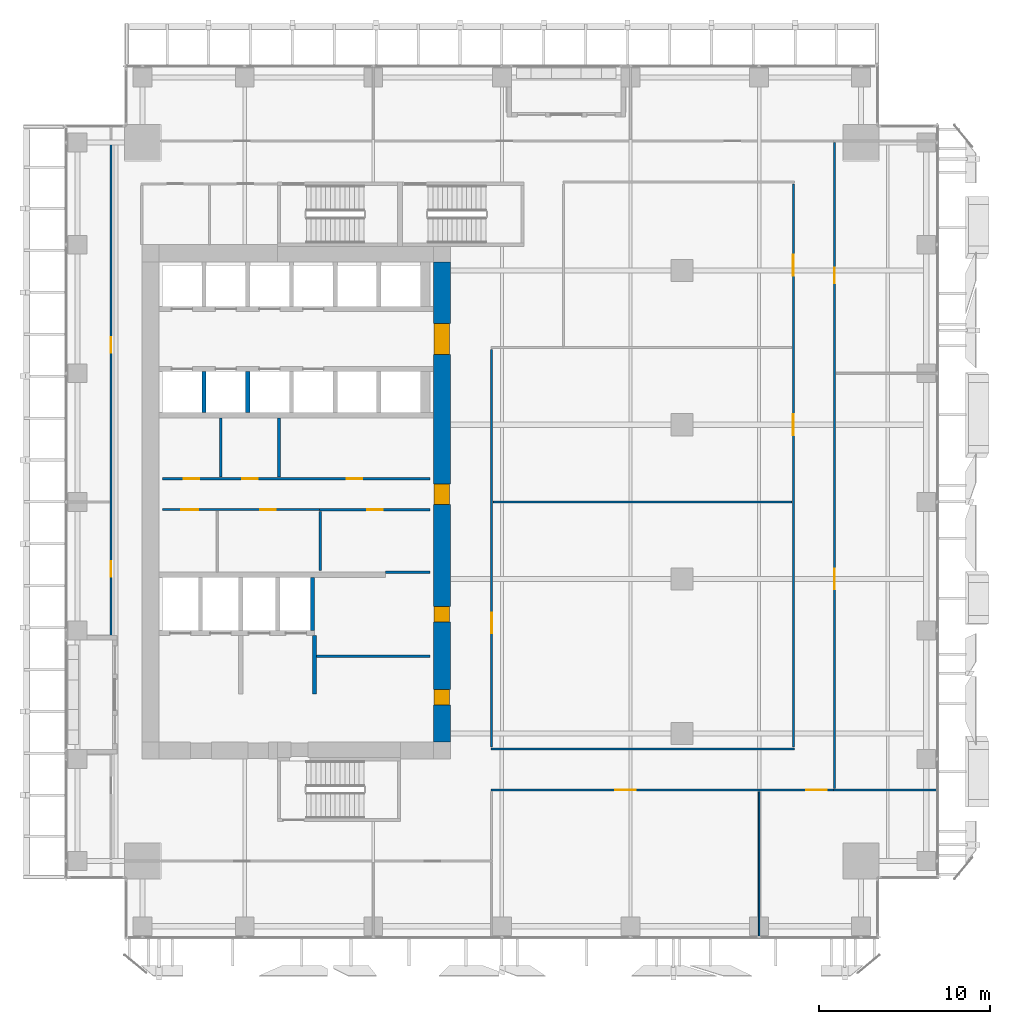
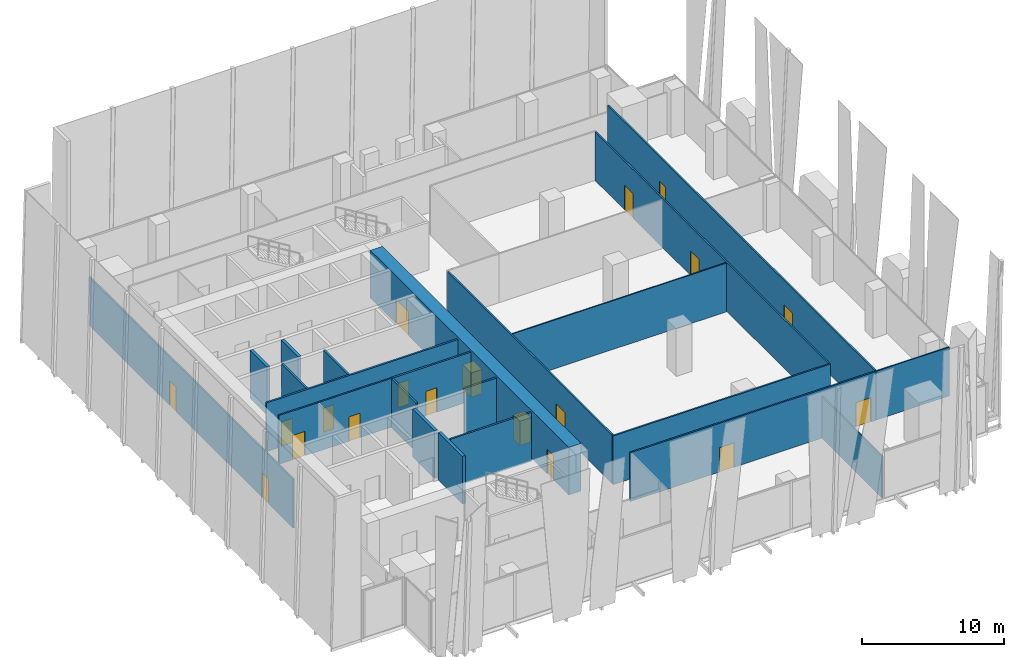
# One storey, part 27 of 34: 22 walls, 19 doors, 19 openings.
"""IFC4 building model written with IfcOpenShell, lengths in metres."""

from ifc_helpers import new_model, si_unit, direction, frame, frame_2d, origin, place, context, subcontext, project, spatial, rectangle, extrude, source, transform, mapped, material, layer, layer_set, type_object, element, fill, save


model = new_model("IFC4")

# Units and contexts
model_context = context("Model", 3, precision=1e-05, world=origin(), true_north=direction((0.0, 1.0)))
body_context = subcontext(model_context, "Body", "Model", "MODEL_VIEW")
ifc_project = project(units=[si_unit("LENGTHUNIT", "METRE"), si_unit("AREAUNIT", "SQUARE_METRE"), si_unit("VOLUMEUNIT", "CUBIC_METRE"), si_unit("PLANEANGLEUNIT", "RADIAN"), si_unit("MASSUNIT", "GRAM", prefix="KILO")], contexts=[model_context])

# Site, building, storey
site_placement = place(None, origin())
site = spatial("IfcSite", under=ifc_project, at=site_placement, CompositionType="ELEMENT")
building_placement = place(site_placement, origin())
building = spatial("IfcBuilding", under=site, at=building_placement, Name="Khomas Fold Tower", CompositionType="ELEMENT")
storey_placement = place(building_placement, frame((0.0, 0.0, 114.699951171875)))
storey = spatial("IfcBuildingStorey", under=building, at=storey_placement, Name="L24", CompositionType="ELEMENT", Elevation=114.699951171875)

# Wall, openings, doors
ifc_material_1 = material(Name="Concrete C70/85", Category="concrete")
ifc_layer_1 = layer(ifc_material_1, 1.0)
ifc_layer_set_1 = layer_set([ifc_layer_1], Name="Concrete C70/85")
wall_type_1 = type_object("IfcWallType", Name="Core wall 1000", PredefinedType="SHEAR", material=ifc_layer_set_1)
shared_shape_1 = source(origin(), body_context, "Body", "SweptSolid", [
    extrude(rectangle(XDim=28.0, YDim=1.0, at=frame_2d((14.0, 0.0))), origin(), (0.0, 0.0, 1.0), 4.10009765625),
])
wall_1_placement = place(storey_placement, frame((23.5, 13.0, 0.0), z_axis=(0.0, 0.0, 1.0), x_axis=(0.0, 1.0, 0.0)))
wall_1 = element("IfcWall", 1, at=wall_1_placement, inside=storey, type_object=wall_type_1, Name="Core wall CW-L-E-L21", PredefinedType="SHEAR", context=body_context, shape_type="MappedRepresentation", body=[
    mapped(shared_shape_1, transform((0.0, 0.0, 0.0))),
])
shared_shape_2 = source(origin(), body_context, "Body", "SweptSolid", [
    extrude(rectangle(XDim=1.800048828125, YDim=2.10009765625, at=frame_2d((0.89990234375, 1.050048828125))), frame((0.0, 0.510009765625, 0.0), z_axis=(0.0, -1.0, 0.0), x_axis=(1.0, 0.0, 0.0)), (0.0, 0.0, 1.0), 1.02001953125),
])
opening_1_placement = place(wall_1_placement, frame((22.60009765625, 0.0, 0.0)))
opening_1 = element("IfcOpeningElement", 2, at=opening_1_placement, cuts=wall_1, Name="Opening 0015", PredefinedType="OPENING", context=body_context, shape_type="MappedRepresentation", body=[
    mapped(shared_shape_2, transform((0.0, 0.0, 0.0))),
])
shared_shape_3 = source(origin(), body_context, "Body", "SweptSolid", [
    extrude(rectangle(XDim=1.199951171875, YDim=2.10009765625, at=frame_2d((0.60009765625, 1.050048828125))), frame((0.0, 0.510009765625, 0.0), z_axis=(0.0, -1.0, 0.0), x_axis=(1.0, 0.0, 0.0)), (0.0, 0.0, 1.0), 1.02001953125),
])
opening_2_placement = place(wall_1_placement, frame((13.85009765625, 0.0, 0.0)))
opening_2 = element("IfcOpeningElement", 3, at=opening_2_placement, cuts=wall_1, Name="Opening 0001", PredefinedType="OPENING", context=body_context, shape_type="MappedRepresentation", body=[
    mapped(shared_shape_3, transform((0.0, 0.0, 0.0))),
])
shared_shape_4 = source(origin(), body_context, "Body", "SweptSolid", [
    extrude(rectangle(XDim=0.89990234375, YDim=2.10009765625, at=frame_2d((0.449951171875, 1.050048828125))), frame((0.0, 0.510009765625, 0.0), z_axis=(0.0, -1.0, 0.0), x_axis=(1.0, 0.0, 0.0)), (0.0, 0.0, 1.0), 1.02001953125),
])
opening_3_placement = place(wall_1_placement, frame((2.14990234375, 0.0, 0.0)))
opening_3 = element("IfcOpeningElement", 4, at=opening_3_placement, cuts=wall_1, Name="Opening 0003", PredefinedType="OPENING", context=body_context, shape_type="MappedRepresentation", body=[
    mapped(shared_shape_4, transform((0.0, 0.0, 0.0))),
])
opening_4_placement = place(wall_1_placement, frame((7.0, 0.0, 0.0)))
opening_4 = element("IfcOpeningElement", 5, at=opening_4_placement, cuts=wall_1, Name="Opening 0003", PredefinedType="OPENING", context=body_context, shape_type="MappedRepresentation", body=[
    mapped(shared_shape_4, transform((0.0, 0.0, 0.0))),
])
ifc_material_2 = material(Name="Steel door leaf", Category="steel")
door_type_1 = type_object("IfcDoorType", Name="Lobby door 1800x2100", OperationType="DOUBLE_DOOR_SINGLE_SWING", PredefinedType="DOOR", material=ifc_material_2)
shared_shape_5 = source(origin(), body_context, "Body", "SweptSolid", [
    extrude(rectangle(XDim=1.800048828125, YDim=2.10009765625, at=frame_2d((0.89990234375, 1.050048828125))), frame((0.0, 0.449951171875, 0.0), z_axis=(0.0, -1.0, 0.0), x_axis=(1.0, 0.0, 0.0)), (0.0, 0.0, 1.0), 0.89990234375),
])
door_1_placement = place(opening_1_placement, origin())
door_1 = element("IfcDoor", 6, at=door_1_placement, inside=storey, type_object=door_type_1, Name="Lobby door", OperationType="DOUBLE_DOOR_SINGLE_SWING", OverallHeight=2.10009765625, OverallWidth=1.800048828125, PredefinedType="DOOR", context=body_context, shape_type="MappedRepresentation", body=[
    mapped(shared_shape_5, transform((0.0, 0.0, 0.0))),
])
fill(opening_1, door_1)
ifc_material_3 = material(Name="Timber door leaf", Category="wood")
door_type_2 = type_object("IfcDoorType", Name="Door 1200x2100 right-hand", OperationType="SINGLE_SWING_RIGHT", PredefinedType="DOOR", material=ifc_material_3)
shared_shape_6 = source(origin(), body_context, "Body", "SweptSolid", [
    extrude(rectangle(XDim=1.199951171875, YDim=2.10009765625, at=frame_2d((0.60009765625, 1.050048828125))), frame((0.0, 0.449951171875, 0.0), z_axis=(0.0, -1.0, 0.0), x_axis=(1.0, 0.0, 0.0)), (0.0, 0.0, 1.0), 0.89990234375),
])
door_2_placement = place(opening_2_placement, origin())
door_2 = element("IfcDoor", 7, at=door_2_placement, inside=storey, type_object=door_type_2, Name="Door", OperationType="SINGLE_SWING_RIGHT", OverallHeight=2.10009765625, OverallWidth=1.199951171875, PredefinedType="DOOR", context=body_context, shape_type="MappedRepresentation", body=[
    mapped(shared_shape_6, transform((0.0, 0.0, 0.0))),
])
fill(opening_2, door_2)
ifc_material_4 = material(Name="Steel door leaf", Category="steel")
door_type_3 = type_object("IfcDoorType", Name="Plant room door 900x2100 right-hand", OperationType="SINGLE_SWING_RIGHT", PredefinedType="DOOR", material=ifc_material_4)
shared_shape_7 = source(origin(), body_context, "Body", "SweptSolid", [
    extrude(rectangle(XDim=0.89990234375, YDim=2.10009765625, at=frame_2d((0.449951171875, 1.050048828125))), frame((0.0, 0.449951171875, 0.0), z_axis=(0.0, -1.0, 0.0), x_axis=(1.0, 0.0, 0.0)), (0.0, 0.0, 1.0), 0.89990234375),
])
door_3_placement = place(opening_3_placement, origin())
door_3 = element("IfcDoor", 8, at=door_3_placement, inside=storey, type_object=door_type_3, Name="Plant room door", OperationType="SINGLE_SWING_RIGHT", OverallHeight=2.10009765625, OverallWidth=0.89990234375, PredefinedType="DOOR", context=body_context, shape_type="MappedRepresentation", body=[
    mapped(shared_shape_7, transform((0.0, 0.0, 0.0))),
])
fill(opening_3, door_3)
door_4_placement = place(opening_4_placement, origin())
door_4 = element("IfcDoor", 9, at=door_4_placement, inside=storey, type_object=door_type_3, Name="Plant room door", OperationType="SINGLE_SWING_RIGHT", OverallHeight=2.10009765625, OverallWidth=0.89990234375, PredefinedType="DOOR", context=body_context, shape_type="MappedRepresentation", body=[
    mapped(shared_shape_7, transform((0.0, 0.0, 0.0))),
])
fill(opening_4, door_4)

# Walls
ifc_material_5 = material(Name="Concrete C50/60", Category="concrete")
ifc_layer_2 = layer(ifc_material_5, 0.25)
ifc_layer_set_2 = layer_set([ifc_layer_2], Name="Concrete C50/60")
wall_type_2 = type_object("IfcWallType", Name="Shaft wall 250", PredefinedType="STANDARD", material=ifc_layer_set_2)
shared_shape_8 = source(origin(), body_context, "Body", "SweptSolid", [
    extrude(rectangle(XDim=3.10009765625, YDim=0.25, at=frame_2d((1.550048828125, 0.0))), origin(), (0.0, 0.0, 1.0), 4.10009765625),
])
wall_2_placement = place(storey_placement, frame((15.949951171875, 19.5, 0.0), z_axis=(0.0, 0.0, 1.0), x_axis=(0.0, 1.0, 0.0)))
element("IfcWall", 10, at=wall_2_placement, inside=storey, type_object=wall_type_2, Name="Core wall SW-FS-PE", PredefinedType="STANDARD", context=body_context, shape_type="MappedRepresentation", body=[
    mapped(shared_shape_8, transform((0.0, 0.0, 0.0))),
])
shared_shape_9 = source(origin(), body_context, "Body", "SweptSolid", [
    extrude(rectangle(XDim=2.400146484375, YDim=0.25, at=frame_2d((1.2001953125, 0.0))), origin(), (0.0, 0.0, 1.0), 4.10009765625),
])
for number, where, z_axis, x_axis, name in (
    (11, (9.625, 32.199951171875, 0.0), (0.0, 0.0, 1.0), (0.0, 1.0, 0.0), "Core wall SW-LRS-P1"),
    (12, (12.175048828125, 32.199951171875, 0.0), (0.0, 0.0, 1.0), (0.0, 1.0, 0.0), "Core wall SW-LRS-P2"),
):
    element("IfcWall", number, at=place(storey_placement, frame(where, z_axis=z_axis, x_axis=x_axis)), inside=storey, type_object=wall_type_2, Name=name, PredefinedType="STANDARD", context=body_context, shape_type="MappedRepresentation", body=[
        mapped(shared_shape_9, transform((0.0, 0.0, 0.0))),
    ])
ifc_material_6 = material(Name="Concrete C50/60", Category="concrete")
ifc_layer_3 = layer(ifc_material_6, 0.25)
ifc_layer_set_3 = layer_set([ifc_layer_3], Name="Concrete C50/60")
wall_type_3 = type_object("IfcWallType", Name="Lobby wall 250", PredefinedType="STANDARD", material=ifc_layer_set_3)
shared_shape_10 = source(origin(), body_context, "Body", "SweptSolid", [
    extrude(rectangle(XDim=3.39990234375, YDim=0.25, at=frame_2d((1.699951171875, 0.0))), origin(), (0.0, 0.0, 1.0), 4.10009765625),
])
wall_3_placement = place(storey_placement, frame((16.074951171875, 15.800048828125, 0.0), z_axis=(0.0, 0.0, 1.0), x_axis=(0.0, 1.0, 0.0)))
element("IfcWall", 13, at=wall_3_placement, inside=storey, type_object=wall_type_3, Name="Core wall SW-FS-LOB-E", PredefinedType="STANDARD", context=body_context, shape_type="MappedRepresentation", body=[
    mapped(shared_shape_10, transform((0.0, 0.0, 0.0))),
])

# Wall, openings, doors
ifc_material_7 = material(Name="Plasterboard fire partition")
ifc_layer_4 = layer(ifc_material_7, 0.14990234375)
ifc_layer_set_4 = layer_set([ifc_layer_4], Name="Plasterboard fire partition")
wall_type_4 = type_object("IfcWallType", Name="Plant room wall PW3 150", PredefinedType="PARTITIONING", material=ifc_layer_set_4)
shared_shape_11 = source(origin(), body_context, "Body", "SweptSolid", [
    extrude(rectangle(XDim=15.60009765625, YDim=0.14990234375, at=frame_2d((7.800048828125, 0.0))), origin(), (0.0, 0.0, 1.0), 4.199951171875),
])
wall_4_placement = place(storey_placement, frame((7.199951171875, 28.35009765625, 0.0), z_axis=(0.0, 0.0, 1.0), x_axis=(1.0, 0.0, 0.0)))
wall_4 = element("IfcWall", 14, at=wall_4_placement, inside=storey, type_object=wall_type_4, Name="Plant room wall", PredefinedType="PARTITIONING", context=body_context, shape_type="MappedRepresentation", body=[
    mapped(shared_shape_11, transform((0.0, 0.0, 0.0))),
])
shared_shape_12 = source(origin(), body_context, "Body", "SweptSolid", [
    extrude(rectangle(XDim=0.89990234375, YDim=2.10009765625, at=frame_2d((0.449951171875, 1.050048828125))), frame((0.0, 0.0849609375, 0.0), z_axis=(0.0, -1.0, 0.0), x_axis=(1.0, 0.0, 0.0)), (0.0, 0.0, 1.0), 0.169921875),
])
opening_5_placement = place(wall_4_placement, frame((1.25, 0.0, 0.0)))
opening_5 = element("IfcOpeningElement", 15, at=opening_5_placement, cuts=wall_4, Name="Opening 0003", PredefinedType="OPENING", context=body_context, shape_type="MappedRepresentation", body=[
    mapped(shared_shape_12, transform((0.0, 0.0, 0.0))),
])
opening_6_placement = place(wall_4_placement, frame((4.64990234375, 0.0, 0.0)))
opening_6 = element("IfcOpeningElement", 16, at=opening_6_placement, cuts=wall_4, Name="Opening 0002", PredefinedType="OPENING", context=body_context, shape_type="MappedRepresentation", body=[
    mapped(shared_shape_12, transform((0.0, 0.0, 0.0))),
])
opening_7_placement = place(wall_4_placement, frame((10.75, 0.0, 0.0)))
opening_7 = element("IfcOpeningElement", 17, at=opening_7_placement, cuts=wall_4, Name="Opening 0003", PredefinedType="OPENING", context=body_context, shape_type="MappedRepresentation", body=[
    mapped(shared_shape_12, transform((0.0, 0.0, 0.0))),
])
shared_shape_13 = source(origin(), body_context, "Body", "SweptSolid", [
    extrude(rectangle(XDim=0.89990234375, YDim=2.10009765625, at=frame_2d((0.449951171875, 1.050048828125))), frame((0.0, 0.02490234375, 0.0), z_axis=(0.0, -1.0, 0.0), x_axis=(1.0, 0.0, 0.0)), (0.0, 0.0, 1.0), 0.050048828125),
])
door_5_placement = place(opening_5_placement, origin())
door_5 = element("IfcDoor", 18, at=door_5_placement, inside=storey, type_object=door_type_3, Name="Plant room door", OperationType="SINGLE_SWING_RIGHT", OverallHeight=2.10009765625, OverallWidth=0.89990234375, PredefinedType="DOOR", context=body_context, shape_type="MappedRepresentation", body=[
    mapped(shared_shape_13, transform((0.0, 0.0, 0.0))),
])
fill(opening_5, door_5)
ifc_material_8 = material(Name="Steel door leaf", Category="steel")
door_type_4 = type_object("IfcDoorType", Name="Plant room door 900x2100 left-hand", OperationType="SINGLE_SWING_LEFT", PredefinedType="DOOR", material=ifc_material_8)
door_6_placement = place(opening_6_placement, origin())
door_6 = element("IfcDoor", 19, at=door_6_placement, inside=storey, type_object=door_type_4, Name="Plant room door", OperationType="SINGLE_SWING_LEFT", OverallHeight=2.10009765625, OverallWidth=0.89990234375, PredefinedType="DOOR", context=body_context, shape_type="MappedRepresentation", body=[
    mapped(shared_shape_13, transform((0.0, 0.0, 0.0))),
])
fill(opening_6, door_6)
door_7_placement = place(opening_7_placement, origin())
door_7 = element("IfcDoor", 20, at=door_7_placement, inside=storey, type_object=door_type_3, Name="Plant room door", OperationType="SINGLE_SWING_RIGHT", OverallHeight=2.10009765625, OverallWidth=0.89990234375, PredefinedType="DOOR", context=body_context, shape_type="MappedRepresentation", body=[
    mapped(shared_shape_13, transform((0.0, 0.0, 0.0))),
])
fill(opening_7, door_7)

# Wall
ifc_material_9 = material(Name="Plasterboard partition")
ifc_layer_5 = layer(ifc_material_9, 0.10009765625)
ifc_layer_set_5 = layer_set([ifc_layer_5], Name="Plasterboard partition")
wall_type_5 = type_object("IfcWallType", Name="Partition PW1 100", PredefinedType="PARTITIONING", material=ifc_layer_set_5)
shared_shape_14 = source(origin(), body_context, "Body", "SweptSolid", [
    extrude(rectangle(XDim=8.4501953125, YDim=0.10009765625, at=frame_2d((4.22509765625, 0.0))), origin(), (0.0, 0.0, 1.0), 3.60009765625),
])
wall_5_placement = place(storey_placement, frame((42.0, 1.64990234375, 0.0), z_axis=(0.0, 0.0, 1.0), x_axis=(0.0, 1.0, 0.0)))
element("IfcWall", 21, at=wall_5_placement, inside=storey, type_object=wall_type_5, Name="Partition", PredefinedType="PARTITIONING", context=body_context, shape_type="MappedRepresentation", body=[
    mapped(shared_shape_14, transform((0.0, 0.0, 0.0))),
])

# Wall, openings, doors
ifc_material_10 = material(Name="Plasterboard partition")
ifc_layer_6 = layer(ifc_material_10, 0.125)
ifc_layer_set_6 = layer_set([ifc_layer_6], Name="Plasterboard partition")
wall_type_6 = type_object("IfcWallType", Name="Partition PW2 125", PredefinedType="PARTITIONING", material=ifc_layer_set_6)
shared_shape_15 = source(origin(), body_context, "Body", "SweptSolid", [
    extrude(rectangle(XDim=20.0, YDim=0.125, at=frame_2d((10.0, 0.0))), origin(), (0.0, 0.0, 1.0), 4.199951171875),
])
wall_6_placement = place(storey_placement, frame((26.35009765625, 10.199951171875, 0.0), z_axis=(0.0, 0.0, 1.0), x_axis=(1.0, 0.0, 0.0)))
wall_6 = element("IfcWall", 22, at=wall_6_placement, inside=storey, type_object=wall_type_6, Name="Partition", PredefinedType="PARTITIONING", context=body_context, shape_type="MappedRepresentation", body=[
    mapped(shared_shape_15, transform((0.0, 0.0, 0.0))),
])
shared_shape_16 = source(origin(), body_context, "Body", "SweptSolid", [
    extrude(rectangle(XDim=1.199951171875, YDim=2.10009765625, at=frame_2d((0.60009765625, 1.050048828125))), frame((0.0, 0.072509765625, 0.0), z_axis=(0.0, -1.0, 0.0), x_axis=(1.0, 0.0, 0.0)), (0.0, 0.0, 1.0), 0.14501953125),
])
opening_8_placement = place(wall_6_placement, frame((7.25, 0.0, 0.0)))
opening_8 = element("IfcOpeningElement", 23, at=opening_8_placement, cuts=wall_6, Name="Opening 0001", PredefinedType="OPENING", context=body_context, shape_type="MappedRepresentation", body=[
    mapped(shared_shape_16, transform((0.0, 0.0, 0.0))),
])
opening_9_placement = place(wall_6_placement, frame((18.39990234375, 0.0, 0.0)))
opening_9 = element("IfcOpeningElement", 24, at=opening_9_placement, cuts=wall_6, Name="Opening 0001", PredefinedType="OPENING", context=body_context, shape_type="MappedRepresentation", body=[
    mapped(shared_shape_16, transform((0.0, 0.0, 0.0))),
])
shared_shape_17 = source(origin(), body_context, "Body", "SweptSolid", [
    extrude(rectangle(XDim=1.199951171875, YDim=2.10009765625, at=frame_2d((0.60009765625, 1.050048828125))), frame((0.0, 0.02490234375, 0.0), z_axis=(0.0, -1.0, 0.0), x_axis=(1.0, 0.0, 0.0)), (0.0, 0.0, 1.0), 0.050048828125),
])
door_8_placement = place(opening_8_placement, origin())
door_8 = element("IfcDoor", 25, at=door_8_placement, inside=storey, type_object=door_type_2, Name="Door", OperationType="SINGLE_SWING_RIGHT", OverallHeight=2.10009765625, OverallWidth=1.199951171875, PredefinedType="DOOR", context=body_context, shape_type="MappedRepresentation", body=[
    mapped(shared_shape_17, transform((0.0, 0.0, 0.0))),
])
fill(opening_8, door_8)
door_9_placement = place(opening_9_placement, origin())
door_9 = element("IfcDoor", 26, at=door_9_placement, inside=storey, type_object=door_type_2, Name="Door", OperationType="SINGLE_SWING_RIGHT", OverallHeight=2.10009765625, OverallWidth=1.199951171875, PredefinedType="DOOR", context=body_context, shape_type="MappedRepresentation", body=[
    mapped(shared_shape_17, transform((0.0, 0.0, 0.0))),
])
fill(opening_9, door_9)

# Wall
shared_shape_18 = source(origin(), body_context, "Body", "SweptSolid", [
    extrude(rectangle(XDim=6.0, YDim=0.10009765625, at=frame_2d((3.0, 0.0))), origin(), (0.0, 0.0, 1.0), 4.199951171875),
])
wall_7_placement = place(storey_placement, frame((46.35009765625, 10.199951171875, 0.0), z_axis=(0.0, 0.0, 1.0), x_axis=(1.0, 0.0, 0.0)))
element("IfcWall", 27, at=wall_7_placement, inside=storey, type_object=wall_type_5, Name="Partition", PredefinedType="PARTITIONING", context=body_context, shape_type="MappedRepresentation", body=[
    mapped(shared_shape_18, transform((0.0, 0.0, 0.0))),
])

# Wall, openings, doors
shared_shape_19 = source(origin(), body_context, "Body", "SweptSolid", [
    extrude(rectangle(XDim=37.64990234375, YDim=0.125, at=frame_2d((18.824951171875, 0.0))), origin(), (0.0, 0.0, 1.0), 4.199951171875),
])
wall_8_placement = place(storey_placement, frame((46.39990234375, 10.300048828125, 0.0), z_axis=(0.0, 0.0, 1.0), x_axis=(0.0, 1.0, 0.0)))
wall_8 = element("IfcWall", 28, at=wall_8_placement, inside=storey, type_object=wall_type_6, Name="Partition", PredefinedType="PARTITIONING", context=body_context, shape_type="MappedRepresentation", body=[
    mapped(shared_shape_19, transform((0.0, 0.0, 0.0))),
])
opening_10_placement = place(wall_8_placement, frame((11.60009765625, 0.0, 0.0)))
opening_10 = element("IfcOpeningElement", 29, at=opening_10_placement, cuts=wall_8, Name="Opening 0001", PredefinedType="OPENING", context=body_context, shape_type="MappedRepresentation", body=[
    mapped(shared_shape_16, transform((0.0, 0.0, 0.0))),
])
shared_shape_20 = source(origin(), body_context, "Body", "SweptSolid", [
    extrude(rectangle(XDim=0.89990234375, YDim=2.10009765625, at=frame_2d((0.449951171875, 1.050048828125))), frame((0.0, 0.072509765625, 0.0), z_axis=(0.0, -1.0, 0.0), x_axis=(1.0, 0.0, 0.0)), (0.0, 0.0, 1.0), 0.14501953125),
])
opening_11_placement = place(wall_8_placement, frame((29.449951171875, 0.0, 0.0)))
opening_11 = element("IfcOpeningElement", 30, at=opening_11_placement, cuts=wall_8, Name="Opening 0008", PredefinedType="OPENING", context=body_context, shape_type="MappedRepresentation", body=[
    mapped(shared_shape_20, transform((0.0, 0.0, 0.0))),
])
ifc_material_11 = material(Name="Timber door leaf", Category="wood")
door_type_5 = type_object("IfcDoorType", Name="Door 900x2100 right-hand", OperationType="SINGLE_SWING_RIGHT", PredefinedType="DOOR", material=ifc_material_11)
door_10_placement = place(opening_11_placement, origin())
door_10 = element("IfcDoor", 31, at=door_10_placement, inside=storey, type_object=door_type_5, Name="Door", OperationType="SINGLE_SWING_RIGHT", OverallHeight=2.10009765625, OverallWidth=0.89990234375, PredefinedType="DOOR", context=body_context, shape_type="MappedRepresentation", body=[
    mapped(shared_shape_13, transform((0.0, 0.0, 0.0))),
])
fill(opening_11, door_10)
door_11_placement = place(opening_10_placement, origin())
door_11 = element("IfcDoor", 32, at=door_11_placement, inside=storey, type_object=door_type_2, Name="Door", OperationType="SINGLE_SWING_RIGHT", OverallHeight=2.10009765625, OverallWidth=1.199951171875, PredefinedType="DOOR", context=body_context, shape_type="MappedRepresentation", body=[
    mapped(shared_shape_17, transform((0.0, 0.0, 0.0))),
])
fill(opening_10, door_11)

# Wall
shared_shape_21 = source(origin(), body_context, "Body", "SweptSolid", [
    extrude(rectangle(XDim=17.699951171875, YDim=0.125, at=frame_2d((8.85009765625, 0.0))), origin(), (0.0, 0.0, 1.0), 4.199951171875),
])
wall_9_placement = place(storey_placement, frame((26.35009765625, 12.60009765625, 0.0), z_axis=(0.0, 0.0, 1.0), x_axis=(1.0, 0.0, 0.0)))
element("IfcWall", 33, at=wall_9_placement, inside=storey, type_object=wall_type_6, Name="Partition", PredefinedType="PARTITIONING", context=body_context, shape_type="MappedRepresentation", body=[
    mapped(shared_shape_21, transform((0.0, 0.0, 0.0))),
])

# Wall, opening, door
shared_shape_22 = source(origin(), body_context, "Body", "SweptSolid", [
    extrude(rectangle(XDim=23.199951171875, YDim=0.125, at=frame_2d((11.60009765625, 0.0))), origin(), (0.0, 0.0, 1.0), 4.199951171875),
])
wall_10_placement = place(storey_placement, frame((26.39990234375, 12.699951171875, 0.0), z_axis=(0.0, 0.0, 1.0), x_axis=(0.0, 1.0, 0.0)))
wall_10 = element("IfcWall", 34, at=wall_10_placement, inside=storey, type_object=wall_type_6, Name="Partition", PredefinedType="PARTITIONING", context=body_context, shape_type="MappedRepresentation", body=[
    mapped(shared_shape_22, transform((0.0, 0.0, 0.0))),
])
opening_12_placement = place(wall_10_placement, frame((6.64990234375, 0.0, 0.0)))
opening_12 = element("IfcOpeningElement", 35, at=opening_12_placement, cuts=wall_10, Name="Opening 0001", PredefinedType="OPENING", context=body_context, shape_type="MappedRepresentation", body=[
    mapped(shared_shape_16, transform((0.0, 0.0, 0.0))),
])
door_12_placement = place(opening_12_placement, origin())
door_12 = element("IfcDoor", 36, at=door_12_placement, inside=storey, type_object=door_type_2, Name="Door", OperationType="SINGLE_SWING_RIGHT", OverallHeight=2.10009765625, OverallWidth=1.199951171875, PredefinedType="DOOR", context=body_context, shape_type="MappedRepresentation", body=[
    mapped(shared_shape_17, transform((0.0, 0.0, 0.0))),
])
fill(opening_12, door_12)

# Wall, openings, doors
shared_shape_23 = source(origin(), body_context, "Body", "SweptSolid", [
    extrude(rectangle(XDim=32.85009765625, YDim=0.125, at=frame_2d((16.425048828125, 0.0))), origin(), (0.0, 0.0, 1.0), 4.199951171875),
])
wall_11_placement = place(storey_placement, frame((44.0, 12.699951171875, 0.0), z_axis=(0.0, 0.0, 1.0), x_axis=(0.0, 1.0, 0.0)))
wall_11 = element("IfcWall", 37, at=wall_11_placement, inside=storey, type_object=wall_type_6, Name="Partition", PredefinedType="PARTITIONING", context=body_context, shape_type="MappedRepresentation", body=[
    mapped(shared_shape_23, transform((0.0, 0.0, 0.0))),
])
opening_13_placement = place(wall_11_placement, frame((18.199951171875, 0.0, 0.0)))
opening_13 = element("IfcOpeningElement", 38, at=opening_13_placement, cuts=wall_11, Name="Opening 0013", PredefinedType="OPENING", context=body_context, shape_type="MappedRepresentation", body=[
    mapped(shared_shape_16, transform((0.0, 0.0, 0.0))),
])
opening_14_placement = place(wall_11_placement, frame((27.5, 0.0, 0.0)))
opening_14 = element("IfcOpeningElement", 39, at=opening_14_placement, cuts=wall_11, Name="Opening 0001", PredefinedType="OPENING", context=body_context, shape_type="MappedRepresentation", body=[
    mapped(shared_shape_16, transform((0.0, 0.0, 0.0))),
])
ifc_material_12 = material(Name="Timber door leaf", Category="wood")
door_type_6 = type_object("IfcDoorType", Name="Door 1200x2100 left-hand", OperationType="SINGLE_SWING_LEFT", PredefinedType="DOOR", material=ifc_material_12)
door_13_placement = place(opening_13_placement, origin())
door_13 = element("IfcDoor", 40, at=door_13_placement, inside=storey, type_object=door_type_6, Name="Door", OperationType="SINGLE_SWING_LEFT", OverallHeight=2.10009765625, OverallWidth=1.199951171875, PredefinedType="DOOR", context=body_context, shape_type="MappedRepresentation", body=[
    mapped(shared_shape_17, transform((0.0, 0.0, 0.0))),
])
fill(opening_13, door_13)
door_14_placement = place(opening_14_placement, origin())
door_14 = element("IfcDoor", 41, at=door_14_placement, inside=storey, type_object=door_type_2, Name="Door", OperationType="SINGLE_SWING_RIGHT", OverallHeight=2.10009765625, OverallWidth=1.199951171875, PredefinedType="DOOR", context=body_context, shape_type="MappedRepresentation", body=[
    mapped(shared_shape_17, transform((0.0, 0.0, 0.0))),
])
fill(opening_14, door_14)

# Walls
shared_shape_24 = source(origin(), body_context, "Body", "SweptSolid", [
    extrude(rectangle(XDim=6.60009765625, YDim=0.14990234375, at=frame_2d((3.300048828125, 0.0))), origin(), (0.0, 0.0, 1.0), 4.199951171875),
])
wall_12_placement = place(storey_placement, frame((16.199951171875, 18.0, 0.0), z_axis=(0.0, 0.0, 1.0), x_axis=(1.0, 0.0, 0.0)))
element("IfcWall", 42, at=wall_12_placement, inside=storey, type_object=wall_type_4, Name="Plant room wall", PredefinedType="PARTITIONING", context=body_context, shape_type="MappedRepresentation", body=[
    mapped(shared_shape_24, transform((0.0, 0.0, 0.0))),
])
shared_shape_25 = source(origin(), body_context, "Body", "SweptSolid", [
    extrude(rectangle(XDim=17.39990234375, YDim=0.10009765625, at=frame_2d((8.699951171875, 0.0))), origin(), (0.0, 0.0, 1.0), 4.199951171875),
])
wall_13_placement = place(storey_placement, frame((26.5, 27.0, 0.0), z_axis=(0.0, 0.0, 1.0), x_axis=(1.0, 0.0, 0.0)))
element("IfcWall", 43, at=wall_13_placement, inside=storey, type_object=wall_type_5, Name="Partition", PredefinedType="PARTITIONING", context=body_context, shape_type="MappedRepresentation", body=[
    mapped(shared_shape_25, transform((0.0, 0.0, 0.0))),
])
shared_shape_26 = source(origin(), body_context, "Body", "SweptSolid", [
    extrude(rectangle(XDim=2.60009765625, YDim=0.14990234375, at=frame_2d((1.300048828125, 0.0))), origin(), (0.0, 0.0, 1.0), 4.199951171875),
])
wall_14_placement = place(storey_placement, frame((20.199951171875, 22.89990234375, 0.0), z_axis=(0.0, 0.0, 1.0), x_axis=(1.0, 0.0, 0.0)))
element("IfcWall", 44, at=wall_14_placement, inside=storey, type_object=wall_type_4, Name="Plant room wall", PredefinedType="PARTITIONING", context=body_context, shape_type="MappedRepresentation", body=[
    mapped(shared_shape_26, transform((0.0, 0.0, 0.0))),
])

# Wall, openings, doors
shared_shape_27 = source(origin(), body_context, "Body", "SweptSolid", [
    extrude(rectangle(XDim=28.75, YDim=0.125, at=frame_2d((14.375, 0.0))), origin(), (0.0, 0.0, 1.0), 4.199951171875),
])
wall_15_placement = place(storey_placement, frame((4.199951171875, 19.199951171875, 0.0), z_axis=(0.0, 0.0, 1.0), x_axis=(0.0, 1.0, 0.0)))
wall_15 = element("IfcWall", 45, at=wall_15_placement, inside=storey, type_object=wall_type_6, Name="Partition", PredefinedType="PARTITIONING", context=body_context, shape_type="MappedRepresentation", body=[
    mapped(shared_shape_27, transform((0.0, 0.0, 0.0))),
])
opening_15_placement = place(wall_15_placement, frame((3.449951171875, 0.0, 0.0)))
opening_15 = element("IfcOpeningElement", 46, at=opening_15_placement, cuts=wall_15, Name="Opening 0007", PredefinedType="OPENING", context=body_context, shape_type="MappedRepresentation", body=[
    mapped(shared_shape_20, transform((0.0, 0.0, 0.0))),
])
opening_16_placement = place(wall_15_placement, frame((16.5, 0.0, 0.0)))
opening_16 = element("IfcOpeningElement", 47, at=opening_16_placement, cuts=wall_15, Name="Opening 0008", PredefinedType="OPENING", context=body_context, shape_type="MappedRepresentation", body=[
    mapped(shared_shape_20, transform((0.0, 0.0, 0.0))),
])
ifc_material_13 = material(Name="Timber door leaf", Category="wood")
door_type_7 = type_object("IfcDoorType", Name="Door 900x2100 left-hand", OperationType="SINGLE_SWING_LEFT", PredefinedType="DOOR", material=ifc_material_13)
door_15_placement = place(opening_15_placement, origin())
door_15 = element("IfcDoor", 48, at=door_15_placement, inside=storey, type_object=door_type_7, Name="Door", OperationType="SINGLE_SWING_LEFT", OverallHeight=2.10009765625, OverallWidth=0.89990234375, PredefinedType="DOOR", context=body_context, shape_type="MappedRepresentation", body=[
    mapped(shared_shape_13, transform((0.0, 0.0, 0.0))),
])
fill(opening_15, door_15)
door_16_placement = place(opening_16_placement, origin())
door_16 = element("IfcDoor", 49, at=door_16_placement, inside=storey, type_object=door_type_5, Name="Door", OperationType="SINGLE_SWING_RIGHT", OverallHeight=2.10009765625, OverallWidth=0.89990234375, PredefinedType="DOOR", context=body_context, shape_type="MappedRepresentation", body=[
    mapped(shared_shape_13, transform((0.0, 0.0, 0.0))),
])
fill(opening_16, door_16)

# Walls
shared_shape_28 = source(origin(), body_context, "Body", "SweptSolid", [
    extrude(rectangle(XDim=3.449951171875, YDim=0.14990234375, at=frame_2d((1.72509765625, 0.0))), origin(), (0.0, 0.0, 1.0), 4.199951171875),
])
for number, where, z_axis, x_axis, name in (
    (50, (16.39990234375, 23.0, 0.0), (0.0, 0.0, 1.0), (0.0, 1.0, 0.0), "Plant room wall"),
    (51, (10.60009765625, 28.449951171875, 0.0), (0.0, 0.0, 1.0), (0.0, 1.0, 0.0), "Plant room wall"),
    (52, (14.0, 28.449951171875, 0.0), (0.0, 0.0, 1.0), (0.0, 1.0, 0.0), "Plant room wall"),
):
    element("IfcWall", number, at=place(storey_placement, frame(where, z_axis=z_axis, x_axis=x_axis)), inside=storey, type_object=wall_type_4, Name=name, PredefinedType="PARTITIONING", context=body_context, shape_type="MappedRepresentation", body=[
        mapped(shared_shape_28, transform((0.0, 0.0, 0.0))),
    ])

# Wall, openings, doors
shared_shape_29 = source(origin(), body_context, "Body", "SweptSolid", [
    extrude(rectangle(XDim=9.150146484375, YDim=0.125, at=frame_2d((4.5751953125, 0.0))), origin(), (0.0, 0.0, 1.0), 4.199951171875),
])
wall_16_placement = place(storey_placement, frame((7.199951171875, 26.550048828125, 0.0), z_axis=(0.0, 0.0, 1.0), x_axis=(1.0, 0.0, 0.0)))
wall_16 = element("IfcWall", 53, at=wall_16_placement, inside=storey, type_object=wall_type_6, Name="Partition", PredefinedType="PARTITIONING", context=body_context, shape_type="MappedRepresentation", body=[
    mapped(shared_shape_29, transform((0.0, 0.0, 0.0))),
])
shared_shape_30 = source(origin(), body_context, "Body", "SweptSolid", [
    extrude(rectangle(XDim=1.0, YDim=2.10009765625, at=frame_2d((0.5, 1.050048828125))), frame((0.0, 0.072509765625, 0.0), z_axis=(0.0, -1.0, 0.0), x_axis=(1.0, 0.0, 0.0)), (0.0, 0.0, 1.0), 0.14501953125),
])
opening_17_placement = place(wall_16_placement, frame((1.10009765625, 0.0, 0.0)))
opening_17 = element("IfcOpeningElement", 54, at=opening_17_placement, cuts=wall_16, Name="Opening 0006", PredefinedType="OPENING", context=body_context, shape_type="MappedRepresentation", body=[
    mapped(shared_shape_30, transform((0.0, 0.0, 0.0))),
])
opening_18_placement = place(wall_16_placement, frame((5.699951171875, 0.0, 0.0)))
opening_18 = element("IfcOpeningElement", 55, at=opening_18_placement, cuts=wall_16, Name="Opening 0007", PredefinedType="OPENING", context=body_context, shape_type="MappedRepresentation", body=[
    mapped(shared_shape_20, transform((0.0, 0.0, 0.0))),
])
door_17_placement = place(opening_18_placement, origin())
door_17 = element("IfcDoor", 56, at=door_17_placement, inside=storey, type_object=door_type_7, Name="Door", OperationType="SINGLE_SWING_LEFT", OverallHeight=2.10009765625, OverallWidth=0.89990234375, PredefinedType="DOOR", context=body_context, shape_type="MappedRepresentation", body=[
    mapped(shared_shape_13, transform((0.0, 0.0, 0.0))),
])
fill(opening_18, door_17)
ifc_material_14 = material(Name="Timber door leaf", Category="wood")
door_type_8 = type_object("IfcDoorType", Name="WC door 1000x2100 right-hand", OperationType="SINGLE_SWING_RIGHT", PredefinedType="DOOR", material=ifc_material_14)
shared_shape_31 = source(origin(), body_context, "Body", "SweptSolid", [
    extrude(rectangle(XDim=1.0, YDim=2.10009765625, at=frame_2d((0.5, 1.050048828125))), frame((0.0, 0.02490234375, 0.0), z_axis=(0.0, -1.0, 0.0), x_axis=(1.0, 0.0, 0.0)), (0.0, 0.0, 1.0), 0.050048828125),
])
door_18_placement = place(opening_17_placement, origin())
door_18 = element("IfcDoor", 57, at=door_18_placement, inside=storey, type_object=door_type_8, Name="WC door", OperationType="SINGLE_SWING_RIGHT", OverallHeight=2.10009765625, OverallWidth=1.0, PredefinedType="DOOR", context=body_context, shape_type="MappedRepresentation", body=[
    mapped(shared_shape_31, transform((0.0, 0.0, 0.0))),
])
fill(opening_17, door_18)

# Wall, opening, door
shared_shape_32 = source(origin(), body_context, "Body", "SweptSolid", [
    extrude(rectangle(XDim=6.449951171875, YDim=0.14990234375, at=frame_2d((3.22509765625, 0.0))), origin(), (0.0, 0.0, 1.0), 4.199951171875),
])
wall_17_placement = place(storey_placement, frame((16.35009765625, 26.550048828125, 0.0), z_axis=(0.0, 0.0, 1.0), x_axis=(1.0, 0.0, 0.0)))
wall_17 = element("IfcWall", 58, at=wall_17_placement, inside=storey, type_object=wall_type_4, Name="Plant room wall", PredefinedType="PARTITIONING", context=body_context, shape_type="MappedRepresentation", body=[
    mapped(shared_shape_32, transform((0.0, 0.0, 0.0))),
])
opening_19_placement = place(wall_17_placement, frame((2.800048828125, 0.0, 0.0)))
opening_19 = element("IfcOpeningElement", 59, at=opening_19_placement, cuts=wall_17, Name="Opening 0003", PredefinedType="OPENING", context=body_context, shape_type="MappedRepresentation", body=[
    mapped(shared_shape_12, transform((0.0, 0.0, 0.0))),
])
door_19_placement = place(opening_19_placement, origin())
door_19 = element("IfcDoor", 60, at=door_19_placement, inside=storey, type_object=door_type_3, Name="Plant room door", OperationType="SINGLE_SWING_RIGHT", OverallHeight=2.10009765625, OverallWidth=0.89990234375, PredefinedType="DOOR", context=body_context, shape_type="MappedRepresentation", body=[
    mapped(shared_shape_13, transform((0.0, 0.0, 0.0))),
])
fill(opening_19, door_19)

save(model, "model.ifc")
